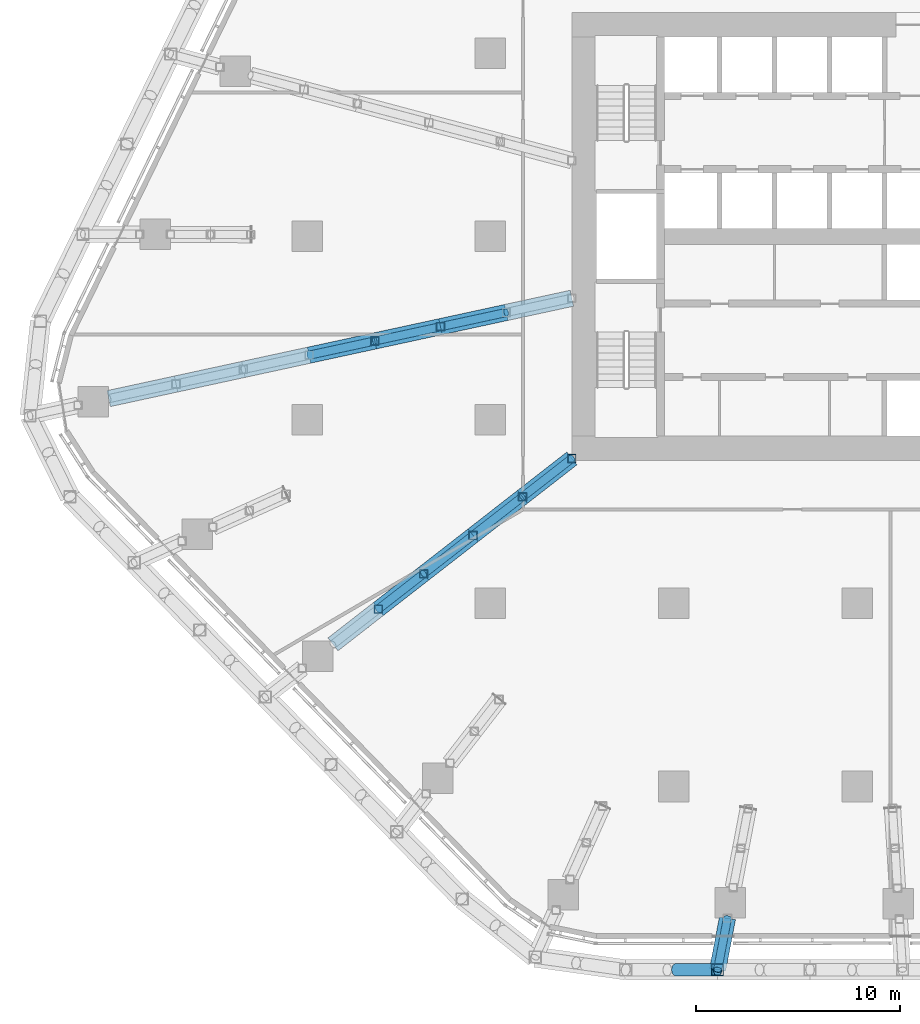
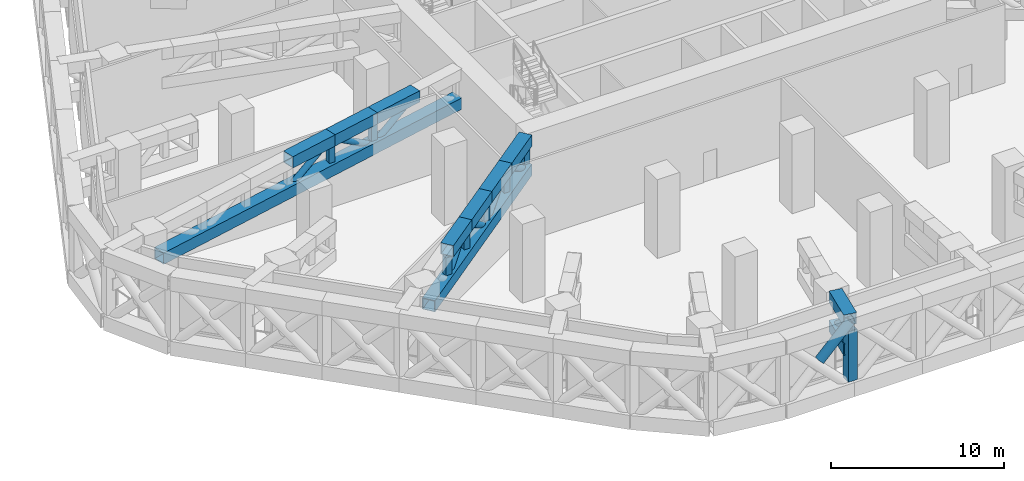
# One storey, part 4 of 38: 28 members.
"""IFC4 building model written with IfcOpenShell, lengths in metres."""

from ifc_helpers import new_model, si_unit, direction, frame, origin, origin_2d, place, context, subcontext, project, spatial, hollow_rectangle, hollow_circle, extrude, material, material_profile, profile_set, type_object, element, save


model = new_model("IFC4")

# Units and contexts
model_context = context("Model", 3, precision=1e-05, world=origin(), true_north=direction((0.0, 1.0)))
body_context = subcontext(model_context, "Body", "Model", "MODEL_VIEW")
ifc_project = project(units=[si_unit("LENGTHUNIT", "METRE"), si_unit("AREAUNIT", "SQUARE_METRE"), si_unit("VOLUMEUNIT", "CUBIC_METRE"), si_unit("PLANEANGLEUNIT", "RADIAN"), si_unit("MASSUNIT", "GRAM", prefix="KILO")], contexts=[model_context])

# Site, building, storey
site_placement = place(None, origin())
site = spatial("IfcSite", under=ifc_project, at=site_placement, CompositionType="ELEMENT")
building_placement = place(site_placement, origin())
building = spatial("IfcBuilding", under=site, at=building_placement, Name="Dongbaek Canopy Tower", CompositionType="ELEMENT")
storey_placement = place(building_placement, frame((0.0, 0.0, 89.199951171875)))
storey = spatial("IfcBuildingStorey", under=building, at=storey_placement, Name="L18", CompositionType="ELEMENT", Elevation=89.199951171875)

# Members
ifc_material_1 = material(Name="Steel S355", Category="steel")
ifc_material_profile_1 = material_profile(ifc_material_1, hollow_circle(Radius=0.304931640625, WallThickness=0.01611328125, at=origin_2d()), Name="BELT BRACE CHS 610.0x16.0 Steel S355")
ifc_profile_set_1 = profile_set([ifc_material_profile_1], Name="Steel S355")
member_type_1 = type_object("IfcMemberType", Name="BELT BRACE CHS 610.0x16.0 Steel S355", PredefinedType="BRACE", material=ifc_profile_set_1)
member_1_placement = place(storey_placement, frame((-6.845703125, -35.997314453125, 5.050048828125), z_axis=(-0.704238189185, -0.000336794925, -0.709963702919), x_axis=(0.000478240022, -0.999999885643, 0.0)))
element("IfcMember", 1, at=member_1_placement, inside=storey, type_object=member_type_1, Name="BELT:L18:3:D0:2", PredefinedType="BRACE", context=body_context, shape_type="SweptSolid", body=[
    extrude(hollow_circle(Radius=0.304931640625, WallThickness=0.01611328125, at=origin_2d()), origin(), (0.0, 0.0, 1.0), 2.899658203125),
])
ifc_material_2 = material(Name="Steel S355", Category="steel")
ifc_material_profile_2 = material_profile(ifc_material_2, hollow_rectangle(XDim=0.60009765625, YDim=0.60009765625, WallThickness=0.031982421875, at=origin_2d()), Name="BELT POST BOX 600x600x32 Steel S355")
ifc_profile_set_2 = profile_set([ifc_material_profile_2], Name="Steel S355")
member_type_2 = type_object("IfcMemberType", Name="BELT POST BOX 600x600x32 Steel S355", PredefinedType="POST", material=ifc_profile_set_2)
member_2_placement = place(storey_placement, frame((-6.845703125, -35.997314453125, 1.0), z_axis=(0.0, 0.0, 1.0), x_axis=(1.0, 0.0, 0.0)))
element("IfcMember", 2, at=member_2_placement, inside=storey, type_object=member_type_2, Name="BELT:L18:3:P0", PredefinedType="POST", context=body_context, shape_type="SweptSolid", body=[
    extrude(hollow_rectangle(XDim=0.60009765625, YDim=0.60009765625, WallThickness=0.031982421875, at=origin_2d()), origin(), (0.0, 0.0, 1.0), 3.550048828125),
])
ifc_material_3 = material(Name="Steel S355", Category="steel")
ifc_material_profile_3 = material_profile(ifc_material_3, hollow_circle(Radius=0.203125, WallThickness=0.0126953125, at=origin_2d()), Name="BRACE CHS 406.4x12.7 Steel S355")
ifc_profile_set_3 = profile_set([ifc_material_profile_3], Name="Steel S355")
member_type_3 = type_object("IfcMemberType", Name="BRACE CHS 406.4x12.7 Steel S355", PredefinedType="BRACE", material=ifc_profile_set_3)
member_3_placement = place(storey_placement, frame((-6.364501953125, -33.467041015625, 3.10009765625), z_axis=(-0.146177788925, -0.768638561348, 0.622757429529), x_axis=(0.982392453678, -0.186828977827, 0.0)))
element("IfcMember", 3, at=member_3_placement, inside=storey, type_object=member_type_3, Name="TRUSS:L18:3x:D0", PredefinedType="BRACE", context=body_context, shape_type="SweptSolid", body=[
    extrude(hollow_circle(Radius=0.203125, WallThickness=0.0126953125, at=origin_2d()), origin(), (0.0, 0.0, 1.0), 3.2919921875),
])
ifc_material_4 = material(Name="Steel S355", Category="steel")
ifc_material_profile_4 = material_profile(ifc_material_4, hollow_rectangle(XDim=0.800048828125, YDim=0.800048828125, WallThickness=0.0400390625, at=origin_2d()), Name="CHORD BOX 800x800x40 Steel S355")
ifc_profile_set_4 = profile_set([ifc_material_profile_4], Name="Steel S355")
member_type_4 = type_object("IfcMemberType", Name="CHORD BOX 800x800x40 Steel S355", PredefinedType="CHORD", material=ifc_profile_set_4)
for number, where, z_axis, x_axis, name in (
    (4, (-6.364501953125, -33.467041015625, 3.10009765625), (-0.186828977827, -0.982392453678, 0.0), (0.982392453678, -0.186828977827, 0.0), "TRUSS:L18:3x:CB"),
    (5, (-6.364501953125, -33.467041015625, 5.150146484375), (-0.186828977827, -0.982392453678, 0.0), (0.982392453678, -0.186828977827, 0.0), "TRUSS:L18:3x:CT0"),
):
    element("IfcMember", number, at=place(storey_placement, frame(where, z_axis=z_axis, x_axis=x_axis)), inside=storey, type_object=member_type_4, Name=name, PredefinedType="CHORD", context=body_context, shape_type="SweptSolid", body=[
        extrude(hollow_rectangle(XDim=0.800048828125, YDim=0.800048828125, WallThickness=0.0400390625, at=origin_2d()), origin(), (0.0, 0.0, 1.0), 2.57568359375),
    ])
ifc_material_5 = material(Name="Steel S355", Category="steel")
ifc_material_profile_5 = material_profile(ifc_material_5, hollow_circle(Radius=0.203125, WallThickness=0.0126953125, at=origin_2d()), Name="OUTRIGGER BRACE CHS 406.4x12.7 Steel S355")
ifc_profile_set_5 = profile_set([ifc_material_profile_5], Name="Steel S355")
member_type_5 = type_object("IfcMemberType", Name="OUTRIGGER BRACE CHS 406.4x12.7 Steel S355", PredefinedType="BRACE", material=ifc_profile_set_5)
member_4_placement = place(storey_placement, frame((-14.0, -10.896240234375, 3.10009765625), z_axis=(-0.656542066284, -0.510974214832, 0.554849409278), x_axis=(0.614188020557, -0.789159727435, 0.0)))
element("IfcMember", 6, at=member_4_placement, inside=storey, type_object=member_type_5, Name="TRUSS:L18:6:D0", PredefinedType="BRACE", context=body_context, shape_type="SweptSolid", body=[
    extrude(hollow_circle(Radius=0.203125, WallThickness=0.0126953125, at=origin_2d()), origin(), (0.0, 0.0, 1.0), 3.69482421875),
])
member_5_placement = place(storey_placement, frame((-16.42578125, -12.7841796875, 5.150146484375), z_axis=(-0.656504469105, -0.510996382445, -0.55487348033), x_axis=(0.614226518592, -0.789129763638, 0.0)))
element("IfcMember", 7, at=member_5_placement, inside=storey, type_object=member_type_5, Name="TRUSS:L18:6:D1", PredefinedType="BRACE", context=body_context, shape_type="SweptSolid", body=[
    extrude(hollow_circle(Radius=0.203125, WallThickness=0.0126953125, at=origin_2d()), origin(), (0.0, 0.0, 1.0), 3.694580078125),
])
member_6_placement = place(storey_placement, frame((-18.851318359375, -14.672119140625, 3.10009765625), z_axis=(-0.656542066284, -0.510974214832, 0.554849409278), x_axis=(0.614188020557, -0.789159727435, 0.0)))
element("IfcMember", 8, at=member_6_placement, inside=storey, type_object=member_type_5, Name="TRUSS:L18:6:D2", PredefinedType="BRACE", context=body_context, shape_type="SweptSolid", body=[
    extrude(hollow_circle(Radius=0.203125, WallThickness=0.0126953125, at=origin_2d()), origin(), (0.0, 0.0, 1.0), 3.69482421875),
])
member_7_placement = place(storey_placement, frame((-21.277099609375, -16.56005859375, 5.150146484375), z_axis=(-0.638306464655, -0.496779600687, -0.588026262612), x_axis=(0.614186332885, -0.789161040914, 0.0)))
element("IfcMember", 9, at=member_7_placement, inside=storey, type_object=member_type_5, Name="TRUSS:L18:6:D3", PredefinedType="BRACE", context=body_context, shape_type="SweptSolid", body=[
    extrude(hollow_circle(Radius=0.203125, WallThickness=0.0126953125, at=origin_2d()), origin(), (0.0, 0.0, 1.0), 3.486328125),
])
member_8_placement = place(storey_placement, frame((-17.22509765625, -3.732421875, 5.150146484375), z_axis=(-0.830159572153, -0.179808201675, -0.527734872236), x_axis=(0.211686207536, -0.977337684497, 0.0)))
element("IfcMember", 10, at=member_8_placement, inside=storey, type_object=member_type_5, Name="TRUSS:L18:8:D1", PredefinedType="BRACE", context=body_context, shape_type="SweptSolid", body=[
    extrude(hollow_circle(Radius=0.203125, WallThickness=0.0126953125, at=origin_2d()), origin(), (0.0, 0.0, 1.0), 3.884521484375),
])
member_9_placement = place(storey_placement, frame((-20.449951171875, -4.430908203125, 3.10009765625), z_axis=(-0.830160339004, -0.179920442889, 0.527695410039), x_axis=(0.211812234351, -0.977310379245, 0.0)))
element("IfcMember", 11, at=member_9_placement, inside=storey, type_object=member_type_5, Name="TRUSS:L18:8:D2", PredefinedType="BRACE", context=body_context, shape_type="SweptSolid", body=[
    extrude(hollow_circle(Radius=0.203125, WallThickness=0.0126953125, at=origin_2d()), origin(), (0.0, 0.0, 1.0), 3.885009765625),
])
member_10_placement = place(storey_placement, frame((-23.675048828125, -5.1298828125, 5.150146484375), z_axis=(-0.830150189379, -0.179869016731, -0.527728907579), x_axis=(0.211756880579, -0.977322374413, 0.0)))
element("IfcMember", 12, at=member_10_placement, inside=storey, type_object=member_type_5, Name="TRUSS:L18:8:D3", PredefinedType="BRACE", context=body_context, shape_type="SweptSolid", body=[
    extrude(hollow_circle(Radius=0.203125, WallThickness=0.0126953125, at=origin_2d()), origin(), (0.0, 0.0, 1.0), 3.884765625),
])
ifc_material_6 = material(Name="Steel S355", Category="steel")
ifc_material_profile_6 = material_profile(ifc_material_6, hollow_rectangle(XDim=0.800048828125, YDim=0.800048828125, WallThickness=0.0400390625, at=origin_2d()), Name="OUTRIGGER CHORD BOX 800x800x40 Steel S355")
ifc_profile_set_6 = profile_set([ifc_material_profile_6], Name="Steel S355")
member_type_6 = type_object("IfcMemberType", Name="OUTRIGGER CHORD BOX 800x800x40 Steel S355", PredefinedType="CHORD", material=ifc_profile_set_6)
member_11_placement = place(storey_placement, frame((-14.0, -10.896240234375, 3.10009765625), z_axis=(-0.789144301058, -0.614207841131, 0.0), x_axis=(0.614207841131, -0.789144301058, 0.0)))
element("IfcMember", 13, at=member_11_placement, inside=storey, type_object=member_type_6, Name="TRUSS:L18:6:CB", PredefinedType="CHORD", context=body_context, shape_type="SweptSolid", body=[
    extrude(hollow_rectangle(XDim=0.800048828125, YDim=0.800048828125, WallThickness=0.0400390625, at=origin_2d()), origin(), (0.0, 0.0, 1.0), 14.86181640625),
])
member_12_placement = place(storey_placement, frame((-14.0, -10.896240234375, 5.150146484375), z_axis=(-0.789159727435, -0.614188020557, 0.0), x_axis=(0.614188020557, -0.789159727435, 0.0)))
element("IfcMember", 14, at=member_12_placement, inside=storey, type_object=member_type_6, Name="TRUSS:L18:6:CT0", PredefinedType="CHORD", context=body_context, shape_type="SweptSolid", body=[
    extrude(hollow_rectangle(XDim=0.800048828125, YDim=0.800048828125, WallThickness=0.0400390625, at=origin_2d()), origin(), (0.0, 0.0, 1.0), 3.073974609375),
])
member_13_placement = place(storey_placement, frame((-16.42578125, -12.7841796875, 5.150146484375), z_axis=(-0.789129763638, -0.614226518592, 0.0), x_axis=(0.614226518592, -0.789129763638, 0.0)))
element("IfcMember", 15, at=member_13_placement, inside=storey, type_object=member_type_6, Name="TRUSS:L18:6:CT1", PredefinedType="CHORD", context=body_context, shape_type="SweptSolid", body=[
    extrude(hollow_rectangle(XDim=0.800048828125, YDim=0.800048828125, WallThickness=0.0400390625, at=origin_2d()), origin(), (0.0, 0.0, 1.0), 3.07373046875),
])
member_14_placement = place(storey_placement, frame((-18.851318359375, -14.672119140625, 5.150146484375), z_axis=(-0.789159727435, -0.614188020557, 0.0), x_axis=(0.614188020557, -0.789159727435, 0.0)))
element("IfcMember", 16, at=member_14_placement, inside=storey, type_object=member_type_6, Name="TRUSS:L18:6:CT2", PredefinedType="CHORD", context=body_context, shape_type="SweptSolid", body=[
    extrude(hollow_rectangle(XDim=0.800048828125, YDim=0.800048828125, WallThickness=0.0400390625, at=origin_2d()), origin(), (0.0, 0.0, 1.0), 3.073974609375),
])
member_15_placement = place(storey_placement, frame((-21.277099609375, -16.56005859375, 5.150146484375), z_axis=(-0.789161040914, -0.614186332885, 0.0), x_axis=(0.614186332885, -0.789161040914, 0.0)))
element("IfcMember", 17, at=member_15_placement, inside=storey, type_object=member_type_6, Name="TRUSS:L18:6:CT3", PredefinedType="CHORD", context=body_context, shape_type="SweptSolid", body=[
    extrude(hollow_rectangle(XDim=0.800048828125, YDim=0.800048828125, WallThickness=0.0400390625, at=origin_2d()), origin(), (0.0, 0.0, 1.0), 2.81982421875),
])
member_16_placement = place(storey_placement, frame((-14.0, -3.033447265625, 3.10009765625), z_axis=(-0.977321221765, -0.211762200329, 0.0), x_axis=(0.211762200329, -0.977321221765, 0.0)))
element("IfcMember", 18, at=member_16_placement, inside=storey, type_object=member_type_6, Name="TRUSS:L18:8:CB", PredefinedType="CHORD", context=body_context, shape_type="SweptSolid", body=[
    extrude(hollow_rectangle(XDim=0.800048828125, YDim=0.800048828125, WallThickness=0.0400390625, at=origin_2d()), origin(), (0.0, 0.0, 1.0), 23.2666015625),
])
member_17_placement = place(storey_placement, frame((-17.22509765625, -3.732421875, 5.150146484375), z_axis=(-0.977337684497, -0.211686207536, 0.0), x_axis=(0.211686207536, -0.977337684497, 0.0)))
element("IfcMember", 19, at=member_17_placement, inside=storey, type_object=member_type_6, Name="TRUSS:L18:8:CT1", PredefinedType="CHORD", context=body_context, shape_type="SweptSolid", body=[
    extrude(hollow_rectangle(XDim=0.800048828125, YDim=0.800048828125, WallThickness=0.0400390625, at=origin_2d()), origin(), (0.0, 0.0, 1.0), 3.299560546875),
])
member_18_placement = place(storey_placement, frame((-20.449951171875, -4.430908203125, 5.150146484375), z_axis=(-0.977310379245, -0.211812234351, 0.0), x_axis=(0.211812234351, -0.977310379245, 0.0)))
element("IfcMember", 20, at=member_18_placement, inside=storey, type_object=member_type_6, Name="TRUSS:L18:8:CT2", PredefinedType="CHORD", context=body_context, shape_type="SweptSolid", body=[
    extrude(hollow_rectangle(XDim=0.800048828125, YDim=0.800048828125, WallThickness=0.0400390625, at=origin_2d()), origin(), (0.0, 0.0, 1.0), 3.300048828125),
])
member_19_placement = place(storey_placement, frame((-23.675048828125, -5.1298828125, 5.150146484375), z_axis=(-0.977322374413, -0.211756880579, 0.0), x_axis=(0.211756880579, -0.977322374413, 0.0)))
element("IfcMember", 21, at=member_19_placement, inside=storey, type_object=member_type_6, Name="TRUSS:L18:8:CT3", PredefinedType="CHORD", context=body_context, shape_type="SweptSolid", body=[
    extrude(hollow_rectangle(XDim=0.800048828125, YDim=0.800048828125, WallThickness=0.0400390625, at=origin_2d()), origin(), (0.0, 0.0, 1.0), 3.299560546875),
])
ifc_material_7 = material(Name="Steel S355", Category="steel")
ifc_material_profile_7 = material_profile(ifc_material_7, hollow_rectangle(XDim=0.39990234375, YDim=0.39990234375, WallThickness=0.01611328125, at=origin_2d()), Name="OUTRIGGER POST SHS 400x400x16 Steel S355")
ifc_profile_set_7 = profile_set([ifc_material_profile_7], Name="Steel S355")
member_type_7 = type_object("IfcMemberType", Name="OUTRIGGER POST SHS 400x400x16 Steel S355", PredefinedType="POST", material=ifc_profile_set_7)
for number, where, z_axis, x_axis, name in (
    (22, (-14.0, -10.896240234375, 3.5), (0.0, 0.0, 1.0), (1.0, 0.0, 0.0), "TRUSS:L18:6:P0"),
    (23, (-16.42578125, -12.7841796875, 3.5), (0.0, 0.0, 1.0), (1.0, 0.0, 0.0), "TRUSS:L18:6:P1"),
    (24, (-18.851318359375, -14.672119140625, 3.5), (0.0, 0.0, 1.0), (1.0, 0.0, 0.0), "TRUSS:L18:6:P2"),
    (25, (-21.277099609375, -16.56005859375, 3.5), (0.0, 0.0, 1.0), (1.0, 0.0, 0.0), "TRUSS:L18:6:P3"),
    (26, (-23.50244140625, -18.2919921875, 3.5), (0.0, 0.0, 1.0), (1.0, 0.0, 0.0), "TRUSS:L18:6:P4"),
    (27, (-20.449951171875, -4.430908203125, 3.5), (0.0, 0.0, 1.0), (1.0, 0.0, 0.0), "TRUSS:L18:8:P2"),
    (28, (-23.675048828125, -5.1298828125, 3.5), (0.0, 0.0, 1.0), (1.0, 0.0, 0.0), "TRUSS:L18:8:P3"),
):
    element("IfcMember", number, at=place(storey_placement, frame(where, z_axis=z_axis, x_axis=x_axis)), inside=storey, type_object=member_type_7, Name=name, PredefinedType="POST", context=body_context, shape_type="SweptSolid", body=[
        extrude(hollow_rectangle(XDim=0.39990234375, YDim=0.39990234375, WallThickness=0.01611328125, at=origin_2d()), origin(), (0.0, 0.0, 1.0), 1.25),
    ])

save(model, "model.ifc")
